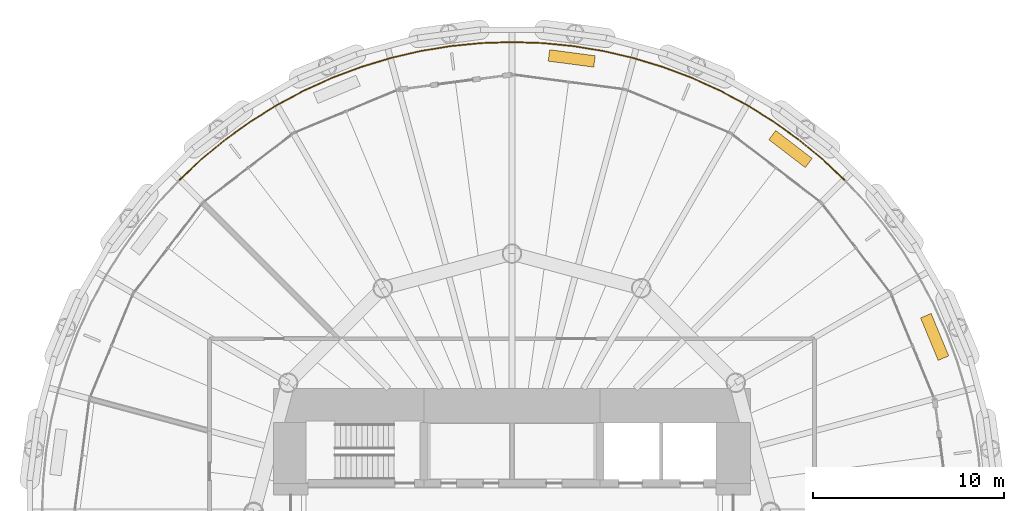
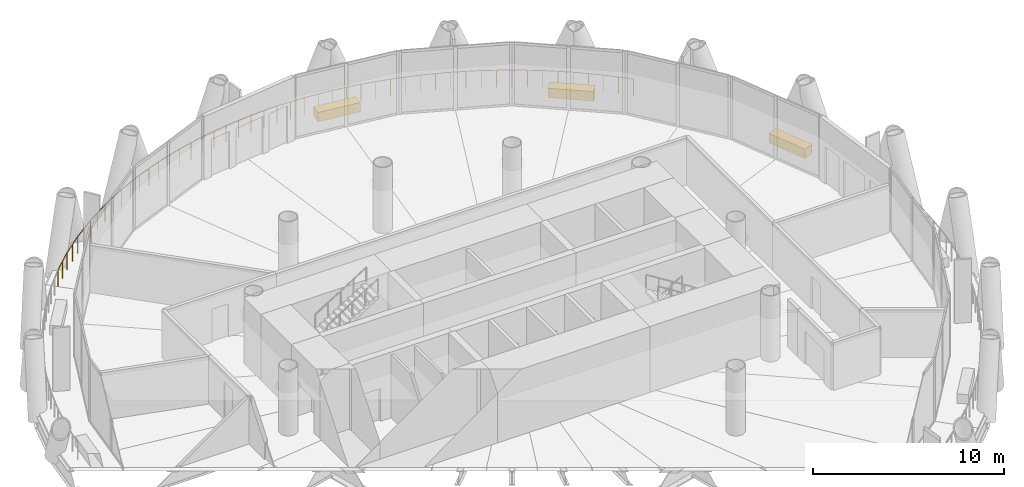
# One storey, part 15 of 15: 3 coverings, 1 railing.
"""IFC4 building model written with IfcOpenShell, lengths in metres."""

from ifc_helpers import new_model, si_unit, direction, frame, origin, origin_2d, place, context, subcontext, project, spatial, rectangle, circle, extrude, material, layer, layer_set, type_object, element, save


model = new_model("IFC4")

# Units and contexts
model_context = context("Model", 3, precision=1e-05, world=origin(), true_north=direction((0.0, 1.0)))
body_context = subcontext(model_context, "Body", "Model", "MODEL_VIEW")
ifc_project = project(units=[si_unit("LENGTHUNIT", "METRE"), si_unit("AREAUNIT", "SQUARE_METRE"), si_unit("VOLUMEUNIT", "CUBIC_METRE"), si_unit("PLANEANGLEUNIT", "RADIAN"), si_unit("MASSUNIT", "GRAM", prefix="KILO")], contexts=[model_context])

# Site, building, storey
site_placement = place(None, origin())
site = spatial("IfcSite", under=ifc_project, at=site_placement, CompositionType="ELEMENT")
building_placement = place(site_placement, origin())
building = spatial("IfcBuilding", under=site, at=building_placement, Name="Qaws Media Tower", CompositionType="ELEMENT")
storey_placement = place(building_placement, frame((0.0, 0.0, 114.199951171875)))
storey = spatial("IfcBuildingStorey", under=building, at=storey_placement, Name="L25", CompositionType="ELEMENT", Elevation=114.199951171875)

# Railing
ifc_material_1 = material(Name="Stainless steel and glass guard", Category="steel")
railing_type = type_object("IfcRailingType", Name="Balcony guard 1100", PredefinedType="GUARDRAIL", material=ifc_material_1)
railing_placement = place(storey_placement, frame((77.359375, 67.359375, 0.0)))
element("IfcRailing", 1, at=railing_placement, inside=storey, type_object=railing_type, Name="GR1 balcony guard L25-1", PredefinedType="GUARDRAIL", context=body_context, shape_type="SweptSolid", body=[
    extrude(circle(Radius=0.02392578125, at=origin_2d()), frame((0.0, 0.0, 1.076171875), z_axis=(-0.729755168358, 0.683708559442, 0.0), x_axis=(-0.683708559442, -0.729755168358, 0.0)), (0.0, 0.0, 1.0), 1.6064453125),
    extrude(circle(Radius=0.02392578125, at=origin_2d()), frame((-1.17236328125, 1.098388671875, 1.076171875), z_axis=(-0.773069548835, 0.634321269282, 0.0), x_axis=(-0.634321269282, -0.773069548835, 0.0)), (0.0, 0.0, 1.0), 1.6064453125),
    extrude(circle(Radius=0.02392578125, at=origin_2d()), frame((-2.414306640625, 2.117431640625, 1.076171875), z_axis=(-0.812849504538, 0.582473761618, 0.0), x_axis=(-0.582473761618, -0.812849504538, 0.0)), (0.0, 0.0, 1.0), 1.606689453125),
    extrude(circle(Radius=0.02392578125, at=origin_2d()), frame((-3.72021484375, 3.05322265625, 1.076171875), z_axis=(-0.849191393384, 0.528085199, 0.0), x_axis=(-0.528085199, -0.849191393384, 0.0)), (0.0, 0.0, 1.0), 1.6064453125),
    extrude(circle(Radius=0.02392578125, at=origin_2d()), frame((-5.08447265625, 3.901611328125, 1.076171875), z_axis=(-0.881906613636, 0.471424145356, 0.0), x_axis=(-0.471424145356, -0.881906613636, 0.0)), (0.0, 0.0, 1.0), 1.6064453125),
    extrude(circle(Radius=0.02392578125, at=origin_2d()), frame((-6.501220703125, 4.658935546875, 1.076171875), z_axis=(-0.910912153474, 0.412600349797, 0.0), x_axis=(-0.412600349797, -0.910912153474, 0.0)), (0.0, 0.0, 1.0), 1.6064453125),
    extrude(circle(Radius=0.02392578125, at=origin_2d()), frame((-7.964599609375, 5.32177734375, 1.076171875), z_axis=(-0.935891249728, 0.352289041388, 0.0), x_axis=(-0.352289041388, -0.935891249728, 0.0)), (0.0, 0.0, 1.0), 1.6064453125),
    extrude(circle(Radius=0.02392578125, at=origin_2d()), frame((-9.468017578125, 5.8876953125, 1.076171875), z_axis=(-0.956947683594, 0.290260453496, 0.0), x_axis=(-0.290260453496, -0.956947683594, 0.0)), (0.0, 0.0, 1.0), 1.6064453125),
    extrude(circle(Radius=0.02392578125, at=origin_2d()), frame((-11.00537109375, 6.35400390625, 1.076171875), z_axis=(-0.973847935236, 0.227200790134, 0.0), x_axis=(-0.227200790134, -0.973847935236, 0.0)), (0.0, 0.0, 1.0), 1.6064453125),
    extrude(circle(Radius=0.02392578125, at=origin_2d()), frame((-12.56982421875, 6.718994140625, 1.076171875), z_axis=(-0.986643298836, 0.162895674781, 0.0), x_axis=(-0.162895674781, -0.986643298836, 0.0)), (0.0, 0.0, 1.0), 1.606689453125),
    extrude(circle(Radius=0.02392578125, at=origin_2d()), frame((-14.155029296875, 6.980712890625, 1.076171875), z_axis=(-0.995183565926, 0.098028924866, 0.0), x_axis=(-0.098028924866, -0.995183565926, 0.0)), (0.0, 0.0, 1.0), 1.6064453125),
    extrude(circle(Radius=0.02392578125, at=origin_2d()), frame((-15.753662109375, 7.13818359375, 1.076171875), z_axis=(-0.999466120383, 0.032672223792, 0.0), x_axis=(-0.032672223792, -0.999466120383, 0.0)), (0.0, 0.0, 1.0), 1.606689453125),
    extrude(circle(Radius=0.02392578125, at=origin_2d()), frame((-17.359375, 7.190673828125, 1.076171875), z_axis=(-0.999466120383, -0.032672223792, 0.0), x_axis=(0.032672223792, -0.999466120383, 0.0)), (0.0, 0.0, 1.0), 1.606689453125),
    extrude(circle(Radius=0.02392578125, at=origin_2d()), frame((-18.965087890625, 7.13818359375, 1.076171875), z_axis=(-0.995183565926, -0.098028924866, 0.0), x_axis=(0.098028924866, -0.995183565926, 0.0)), (0.0, 0.0, 1.0), 1.6064453125),
    extrude(circle(Radius=0.02392578125, at=origin_2d()), frame((-20.563720703125, 6.980712890625, 1.076171875), z_axis=(-0.986643298836, -0.162895674781, 0.0), x_axis=(0.162895674781, -0.986643298836, 0.0)), (0.0, 0.0, 1.0), 1.606689453125),
    extrude(circle(Radius=0.02392578125, at=origin_2d()), frame((-22.14892578125, 6.718994140625, 1.076171875), z_axis=(-0.973847935236, -0.227200790134, 0.0), x_axis=(0.227200790134, -0.973847935236, 0.0)), (0.0, 0.0, 1.0), 1.6064453125),
    extrude(circle(Radius=0.02392578125, at=origin_2d()), frame((-23.71337890625, 6.35400390625, 1.076171875), z_axis=(-0.956947683594, -0.290260453496, 0.0), x_axis=(0.290260453496, -0.956947683594, 0.0)), (0.0, 0.0, 1.0), 1.6064453125),
    extrude(circle(Radius=0.02392578125, at=origin_2d()), frame((-25.250732421875, 5.8876953125, 1.076171875), z_axis=(-0.935891249728, -0.352289041388, 0.0), x_axis=(0.352289041388, -0.935891249728, 0.0)), (0.0, 0.0, 1.0), 1.6064453125),
    extrude(circle(Radius=0.02392578125, at=origin_2d()), frame((-26.754150390625, 5.32177734375, 1.076171875), z_axis=(-0.910912153474, -0.412600349797, 0.0), x_axis=(0.412600349797, -0.910912153474, 0.0)), (0.0, 0.0, 1.0), 1.6064453125),
    extrude(circle(Radius=0.02392578125, at=origin_2d()), frame((-28.217529296875, 4.658935546875, 1.076171875), z_axis=(-0.881906613636, -0.471424145356, 0.0), x_axis=(0.471424145356, -0.881906613636, 0.0)), (0.0, 0.0, 1.0), 1.6064453125),
    extrude(circle(Radius=0.02392578125, at=origin_2d()), frame((-29.63427734375, 3.901611328125, 1.076171875), z_axis=(-0.849191393384, -0.528085199, 0.0), x_axis=(0.528085199, -0.849191393384, 0.0)), (0.0, 0.0, 1.0), 1.6064453125),
    extrude(circle(Radius=0.02392578125, at=origin_2d()), frame((-30.99853515625, 3.05322265625, 1.076171875), z_axis=(-0.812849504538, -0.582473761618, 0.0), x_axis=(0.582473761618, -0.812849504538, 0.0)), (0.0, 0.0, 1.0), 1.606689453125),
    extrude(circle(Radius=0.02392578125, at=origin_2d()), frame((-32.304443359375, 2.117431640625, 1.076171875), z_axis=(-0.773069548835, -0.634321269282, 0.0), x_axis=(0.634321269282, -0.773069548835, 0.0)), (0.0, 0.0, 1.0), 1.6064453125),
    extrude(circle(Radius=0.02392578125, at=origin_2d()), frame((-33.54638671875, 1.098388671875, 1.076171875), z_axis=(-0.729755168358, -0.683708559442, 0.0), x_axis=(0.683708559442, -0.729755168358, 0.0)), (0.0, 0.0, 1.0), 1.6064453125),
    extrude(circle(Radius=0.02099609375, at=origin_2d()), origin(), (0.0, 0.0, 1.0), 1.052001953125),
    extrude(circle(Radius=0.02099609375, at=origin_2d()), frame((-0.586181640625, 0.54931640625, 0.0)), (0.0, 0.0, 1.0), 1.052001953125),
    extrude(circle(Radius=0.02099609375, at=origin_2d()), frame((-1.17236328125, 1.098388671875, 0.0)), (0.0, 0.0, 1.0), 1.052001953125),
    extrude(circle(Radius=0.02099609375, at=origin_2d()), frame((-1.79345703125, 1.60791015625, 0.0)), (0.0, 0.0, 1.0), 1.052001953125),
    extrude(circle(Radius=0.02099609375, at=origin_2d()), frame((-2.414306640625, 2.117431640625, 0.0)), (0.0, 0.0, 1.0), 1.052001953125),
    extrude(circle(Radius=0.02099609375, at=origin_2d()), frame((-3.0673828125, 2.58544921875, 0.0)), (0.0, 0.0, 1.0), 1.052001953125),
    extrude(circle(Radius=0.02099609375, at=origin_2d()), frame((-3.72021484375, 3.05322265625, 0.0)), (0.0, 0.0, 1.0), 1.052001953125),
    extrude(circle(Radius=0.02099609375, at=origin_2d()), frame((-4.40234375, 3.4775390625, 0.0)), (0.0, 0.0, 1.0), 1.052001953125),
    extrude(circle(Radius=0.02099609375, at=origin_2d()), frame((-5.08447265625, 3.901611328125, 0.0)), (0.0, 0.0, 1.0), 1.052001953125),
    extrude(circle(Radius=0.02099609375, at=origin_2d()), frame((-5.79296875, 4.2802734375, 0.0)), (0.0, 0.0, 1.0), 1.052001953125),
    extrude(circle(Radius=0.02099609375, at=origin_2d()), frame((-6.501220703125, 4.658935546875, 0.0)), (0.0, 0.0, 1.0), 1.052001953125),
    extrude(circle(Radius=0.02099609375, at=origin_2d()), frame((-7.23291015625, 4.990234375, 0.0)), (0.0, 0.0, 1.0), 1.052001953125),
    extrude(circle(Radius=0.02099609375, at=origin_2d()), frame((-7.964599609375, 5.32177734375, 0.0)), (0.0, 0.0, 1.0), 1.052001953125),
    extrude(circle(Radius=0.02099609375, at=origin_2d()), frame((-8.71630859375, 5.604736328125, 0.0)), (0.0, 0.0, 1.0), 1.052001953125),
    extrude(circle(Radius=0.02099609375, at=origin_2d()), frame((-9.468017578125, 5.8876953125, 0.0)), (0.0, 0.0, 1.0), 1.052001953125),
    extrude(circle(Radius=0.02099609375, at=origin_2d()), frame((-10.23681640625, 6.120849609375, 0.0)), (0.0, 0.0, 1.0), 1.052001953125),
    extrude(circle(Radius=0.02099609375, at=origin_2d()), frame((-11.00537109375, 6.35400390625, 0.0)), (0.0, 0.0, 1.0), 1.052001953125),
    extrude(circle(Radius=0.02099609375, at=origin_2d()), frame((-11.78759765625, 6.53662109375, 0.0)), (0.0, 0.0, 1.0), 1.052001953125),
    extrude(circle(Radius=0.02099609375, at=origin_2d()), frame((-12.56982421875, 6.718994140625, 0.0)), (0.0, 0.0, 1.0), 1.052001953125),
    extrude(circle(Radius=0.02099609375, at=origin_2d()), frame((-13.3623046875, 6.849853515625, 0.0)), (0.0, 0.0, 1.0), 1.052001953125),
    extrude(circle(Radius=0.02099609375, at=origin_2d()), frame((-14.155029296875, 6.980712890625, 0.0)), (0.0, 0.0, 1.0), 1.052001953125),
    extrude(circle(Radius=0.02099609375, at=origin_2d()), frame((-14.954345703125, 7.0595703125, 0.0)), (0.0, 0.0, 1.0), 1.052001953125),
    extrude(circle(Radius=0.02099609375, at=origin_2d()), frame((-15.753662109375, 7.13818359375, 0.0)), (0.0, 0.0, 1.0), 1.052001953125),
    extrude(circle(Radius=0.02099609375, at=origin_2d()), frame((-16.556640625, 7.16455078125, 0.0)), (0.0, 0.0, 1.0), 1.052001953125),
    extrude(circle(Radius=0.02099609375, at=origin_2d()), frame((-17.359375, 7.190673828125, 0.0)), (0.0, 0.0, 1.0), 1.052001953125),
    extrude(circle(Radius=0.02099609375, at=origin_2d()), frame((-18.162109375, 7.16455078125, 0.0)), (0.0, 0.0, 1.0), 1.052001953125),
    extrude(circle(Radius=0.02099609375, at=origin_2d()), frame((-18.965087890625, 7.13818359375, 0.0)), (0.0, 0.0, 1.0), 1.052001953125),
    extrude(circle(Radius=0.02099609375, at=origin_2d()), frame((-19.764404296875, 7.0595703125, 0.0)), (0.0, 0.0, 1.0), 1.052001953125),
    extrude(circle(Radius=0.02099609375, at=origin_2d()), frame((-20.563720703125, 6.980712890625, 0.0)), (0.0, 0.0, 1.0), 1.052001953125),
    extrude(circle(Radius=0.02099609375, at=origin_2d()), frame((-21.3564453125, 6.849853515625, 0.0)), (0.0, 0.0, 1.0), 1.052001953125),
    extrude(circle(Radius=0.02099609375, at=origin_2d()), frame((-22.14892578125, 6.718994140625, 0.0)), (0.0, 0.0, 1.0), 1.052001953125),
    extrude(circle(Radius=0.02099609375, at=origin_2d()), frame((-22.93115234375, 6.53662109375, 0.0)), (0.0, 0.0, 1.0), 1.052001953125),
    extrude(circle(Radius=0.02099609375, at=origin_2d()), frame((-23.71337890625, 6.35400390625, 0.0)), (0.0, 0.0, 1.0), 1.052001953125),
    extrude(circle(Radius=0.02099609375, at=origin_2d()), frame((-24.48193359375, 6.120849609375, 0.0)), (0.0, 0.0, 1.0), 1.052001953125),
    extrude(circle(Radius=0.02099609375, at=origin_2d()), frame((-25.250732421875, 5.8876953125, 0.0)), (0.0, 0.0, 1.0), 1.052001953125),
    extrude(circle(Radius=0.02099609375, at=origin_2d()), frame((-26.00244140625, 5.604736328125, 0.0)), (0.0, 0.0, 1.0), 1.052001953125),
    extrude(circle(Radius=0.02099609375, at=origin_2d()), frame((-26.754150390625, 5.32177734375, 0.0)), (0.0, 0.0, 1.0), 1.052001953125),
    extrude(circle(Radius=0.02099609375, at=origin_2d()), frame((-27.48583984375, 4.990234375, 0.0)), (0.0, 0.0, 1.0), 1.052001953125),
    extrude(circle(Radius=0.02099609375, at=origin_2d()), frame((-28.217529296875, 4.658935546875, 0.0)), (0.0, 0.0, 1.0), 1.052001953125),
    extrude(circle(Radius=0.02099609375, at=origin_2d()), frame((-28.92578125, 4.2802734375, 0.0)), (0.0, 0.0, 1.0), 1.052001953125),
    extrude(circle(Radius=0.02099609375, at=origin_2d()), frame((-29.63427734375, 3.901611328125, 0.0)), (0.0, 0.0, 1.0), 1.052001953125),
    extrude(circle(Radius=0.02099609375, at=origin_2d()), frame((-30.31640625, 3.4775390625, 0.0)), (0.0, 0.0, 1.0), 1.052001953125),
    extrude(circle(Radius=0.02099609375, at=origin_2d()), frame((-30.99853515625, 3.05322265625, 0.0)), (0.0, 0.0, 1.0), 1.052001953125),
    extrude(circle(Radius=0.02099609375, at=origin_2d()), frame((-31.6513671875, 2.58544921875, 0.0)), (0.0, 0.0, 1.0), 1.052001953125),
    extrude(circle(Radius=0.02099609375, at=origin_2d()), frame((-32.304443359375, 2.117431640625, 0.0)), (0.0, 0.0, 1.0), 1.052001953125),
    extrude(circle(Radius=0.02099609375, at=origin_2d()), frame((-32.92529296875, 1.60791015625, 0.0)), (0.0, 0.0, 1.0), 1.052001953125),
    extrude(circle(Radius=0.02099609375, at=origin_2d()), frame((-33.54638671875, 1.098388671875, 0.0)), (0.0, 0.0, 1.0), 1.052001953125),
    extrude(circle(Radius=0.02099609375, at=origin_2d()), frame((-34.132568359375, 0.54931640625, 0.0)), (0.0, 0.0, 1.0), 1.052001953125),
    extrude(circle(Radius=0.02099609375, at=origin_2d()), frame((-34.71875, 0.0, 0.0)), (0.0, 0.0, 1.0), 1.052001953125),
])

# Coverings
ifc_material_2 = material(Name="Precast concrete planter with trailing planting", Category="concrete")
ifc_layer = layer(ifc_material_2, 0.60009765625)
ifc_layer_set = layer_set([ifc_layer], Name="Planter 2400x600")
covering_type = type_object("IfcCoveringType", Name="Planter 2400x600", PredefinedType="USERDEFINED", material=ifc_layer_set)
for number, where, z_axis, x_axis, name in (
    (2, (82.080810546875, 59.146240234375, 0.0), (0.0, 0.0, 1.0), (-0.382683432365, 0.923879532511, 0.0), "PL1 balcony planter L25-01"),
    (3, (74.54931640625, 68.961181640625, 0.0), (0.0, 0.0, 1.0), (-0.793353340291, 0.608761429009, 0.0), "PL1 balcony planter L25-02"),
    (4, (63.11962890625, 73.695556640625, 0.0), (0.0, 0.0, 1.0), (-0.991444861374, 0.13052619222, 0.0), "PL1 balcony planter L25-03"),
):
    element("IfcCovering", number, at=place(storey_placement, frame(where, z_axis=z_axis, x_axis=x_axis)), inside=storey, type_object=covering_type, Name=name, ObjectType="PLANTER", PredefinedType="USERDEFINED", context=body_context, shape_type="SweptSolid", body=[
        extrude(rectangle(XDim=2.39990234375, YDim=0.60009765625, at=origin_2d()), origin(), (0.0, 0.0, 1.0), 0.60009765625),
    ])

save(model, "model.ifc")
